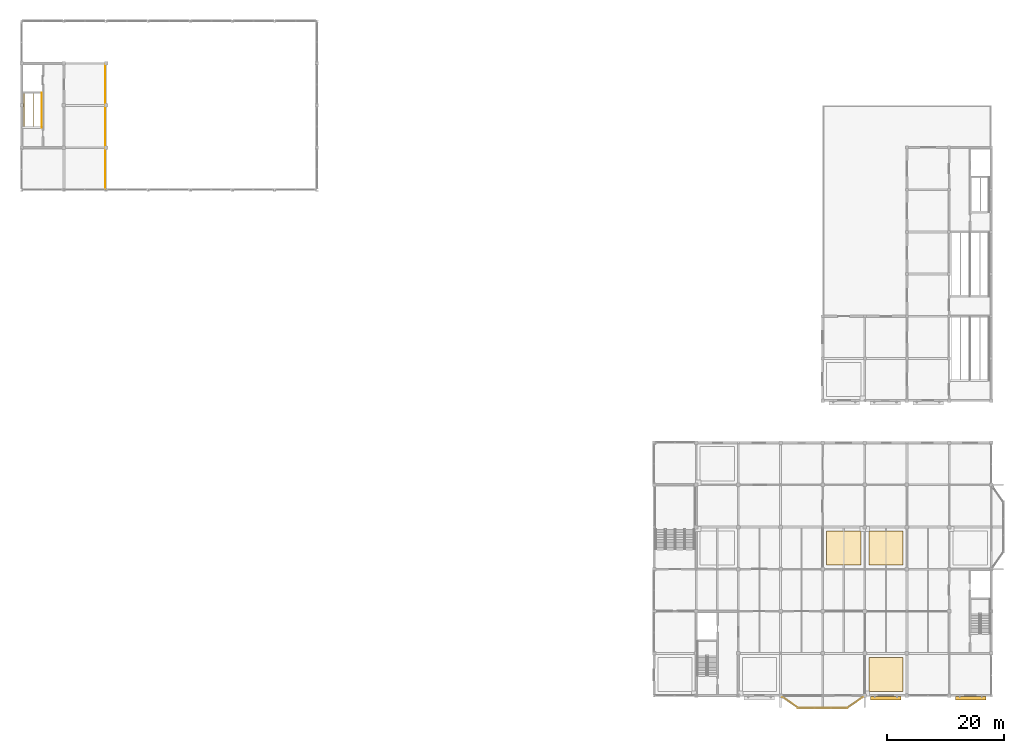
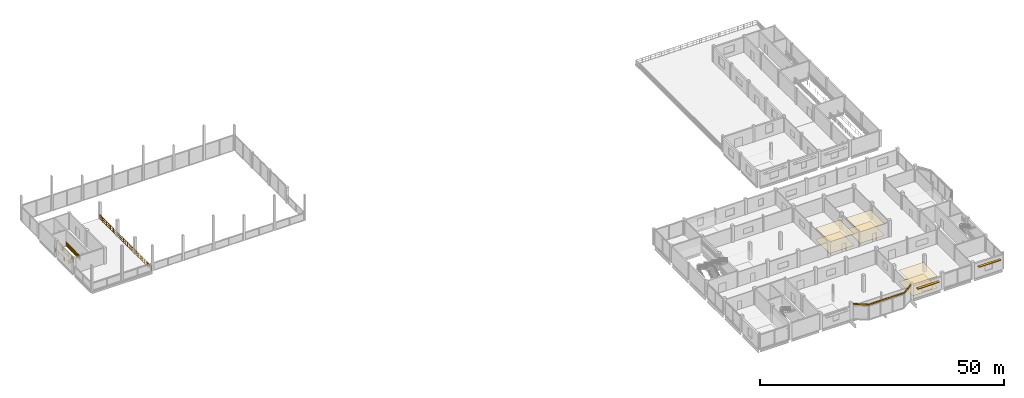
# One storey, part 44 of 51: 9 coverings, 3 railings, 2 shading devices.
"""IFC4 building model written with IfcOpenShell, lengths in metres."""

from ifc_helpers import new_model, si_unit, direction, frame, frame_2d, origin, origin_2d, place, context, subcontext, project, spatial, polyline, rectangle, circle, outline, extrude, material, layer, layer_set, type_object, element, save


model = new_model("IFC4")

# Units and contexts
model_context = context("Model", 3, precision=1e-05, world=origin(), true_north=direction((0.0, 1.0)))
body_context = subcontext(model_context, "Body", "Model", "MODEL_VIEW")
ifc_project = project(units=[si_unit("LENGTHUNIT", "METRE"), si_unit("AREAUNIT", "SQUARE_METRE"), si_unit("VOLUMEUNIT", "CUBIC_METRE"), si_unit("PLANEANGLEUNIT", "RADIAN"), si_unit("MASSUNIT", "GRAM", prefix="KILO")], contexts=[model_context])

# Site, building, storey
site_placement = place(None, origin())
site = spatial("IfcSite", under=ifc_project, at=site_placement, CompositionType="ELEMENT")
building_placement = place(site_placement, origin())
building = spatial("IfcBuilding", under=site, at=building_placement, Name="Vesperath Aquatics Centre", CompositionType="ELEMENT")
storey_placement = place(building_placement, frame((0.0, 0.0, 15.0)))
storey = spatial("IfcBuildingStorey", under=building, at=storey_placement, Name="L03", CompositionType="ELEMENT", Elevation=15.0)

# Coverings
ifc_material_1 = material(Name="Teal and ochre glazed ceramic majolica frieze", Category="ceramic")
ifc_layer_1 = layer(ifc_material_1, 0.0400390625)
ifc_layer_set_1 = layer_set([ifc_layer_1], Name="Teal and ochre glazed ceramic majolica frieze")
covering_type_1 = type_object("IfcCoveringType", Name="CV-CLD01", PredefinedType="CLADDING", material=ifc_layer_set_1)
covering_1_placement = place(storey_placement, frame((137.179931640625, -0.26611328125, 3.5400390625), z_axis=(0.0, 0.0, 1.0), x_axis=(0.819246265428, -0.57344185109, 0.0)))
element("IfcCovering", 1, at=covering_1_placement, inside=storey, type_object=covering_type_1, Name="South Bow Oriel Majolica Frieze CLD1 L03-W", PredefinedType="CLADDING", context=body_context, shape_type="SweptSolid", body=[
    extrude(rectangle(XDim=3.1982421875, YDim=0.050048828125, at=frame_2d((1.59912109375, 0.0))), origin(), (0.0, 0.0, 1.0), 0.3798828125),
])
covering_2_placement = place(storey_placement, frame((139.800048828125, -2.10009765625, 3.5400390625), z_axis=(0.0, 0.0, 1.0), x_axis=(1.0, 0.0, 0.0)))
element("IfcCovering", 2, at=covering_2_placement, inside=storey, type_object=covering_type_1, Name="South Bow Oriel Majolica Frieze CLD1 L03-C", PredefinedType="CLADDING", context=body_context, shape_type="SweptSolid", body=[
    extrude(rectangle(XDim=8.39990234375, YDim=0.050048828125, at=frame_2d((4.199951171875, 0.0))), origin(), (0.0, 0.0, 1.0), 0.3798828125),
])
covering_3_placement = place(storey_placement, frame((148.199951171875, -2.10009765625, 3.5400390625), z_axis=(0.0, 0.0, 1.0), x_axis=(0.819246265428, 0.57344185109, 0.0)))
element("IfcCovering", 3, at=covering_3_placement, inside=storey, type_object=covering_type_1, Name="South Bow Oriel Majolica Frieze CLD1 L03-E", PredefinedType="CLADDING", context=body_context, shape_type="SweptSolid", body=[
    extrude(rectangle(XDim=3.1982421875, YDim=0.050048828125, at=frame_2d((1.59912109375, 0.0))), origin(), (0.0, 0.0, 1.0), 0.3798828125),
])
ifc_material_2 = material(Name="Perforated moisture-resistant acoustic mineral-fibre ceiling", Category="gypsum")
ifc_layer_2 = layer(ifc_material_2, 0.044921875)
ifc_layer_set_2 = layer_set([ifc_layer_2], Name="Perforated moisture-resistant acoustic mineral-fibre ceiling")
covering_type_2 = type_object("IfcCoveringType", Name="CV-CLG01", PredefinedType="CEILING", material=ifc_layer_set_2)
covering_4_placement = place(storey_placement, frame((0.0, 0.0, 2.875)))
element("IfcCovering", 4, at=covering_4_placement, inside=storey, type_object=covering_type_2, Name="Acoustic Suspended Ceiling CLG1 L03_VO2_LAB", PredefinedType="CEILING", context=body_context, shape_type="SweptSolid", body=[
    extrude(outline(polyline([(151.8798828125, 0.679931640625), (157.719970703125, 0.679931640625), (157.719970703125, 6.52001953125), (151.8798828125, 6.52001953125), (151.8798828125, 0.679931640625)])), origin(), (0.0, 0.0, 1.0), 0.044921875),
])
covering_5_placement = place(storey_placement, frame((0.0, 0.0, 2.875)))
element("IfcCovering", 5, at=covering_5_placement, inside=storey, type_object=covering_type_2, Name="Acoustic Suspended Ceiling CLG1 L03_MWC", PredefinedType="CEILING", context=body_context, shape_type="SweptSolid", body=[
    extrude(outline(polyline([(144.679931640625, 22.280029296875), (150.52001953125, 22.280029296875), (150.52001953125, 28.1201171875), (144.679931640625, 28.1201171875), (144.679931640625, 22.280029296875)])), origin(), (0.0, 0.0, 1.0), 0.044921875),
])
covering_6_placement = place(storey_placement, frame((0.0, 0.0, 2.875)))
element("IfcCovering", 6, at=covering_6_placement, inside=storey, type_object=covering_type_2, Name="Acoustic Suspended Ceiling CLG1 L03_FWC", PredefinedType="CEILING", context=body_context, shape_type="SweptSolid", body=[
    extrude(outline(polyline([(151.8798828125, 22.280029296875), (157.719970703125, 22.280029296875), (157.719970703125, 28.1201171875), (151.8798828125, 28.1201171875), (151.8798828125, 22.280029296875)])), origin(), (0.0, 0.0, 1.0), 0.044921875),
])
ifc_material_3 = material(Name="Slip-resistant vitrified ceramic and terrazzo flooring", Category="ceramic")
ifc_layer_3 = layer(ifc_material_3, 0.030029296875)
ifc_layer_set_3 = layer_set([ifc_layer_3], Name="Slip-resistant vitrified ceramic and terrazzo flooring")
covering_type_3 = type_object("IfcCoveringType", Name="CV-FLR01", PredefinedType="FLOORING", material=ifc_layer_set_3)
covering_7_placement = place(storey_placement, origin())
element("IfcCovering", 7, at=covering_7_placement, inside=storey, type_object=covering_type_3, Name="Slip-Resistant Floor Finish FLR1 L03_VO2_LAB", PredefinedType="FLOORING", context=body_context, shape_type="SweptSolid", body=[
    extrude(outline(polyline([(151.8798828125, 0.679931640625), (157.719970703125, 0.679931640625), (157.719970703125, 6.52001953125), (151.8798828125, 6.52001953125), (151.8798828125, 0.679931640625)])), origin(), (0.0, 0.0, 1.0), 0.030029296875),
])
covering_8_placement = place(storey_placement, origin())
element("IfcCovering", 8, at=covering_8_placement, inside=storey, type_object=covering_type_3, Name="Slip-Resistant Floor Finish FLR1 L03_MWC", PredefinedType="FLOORING", context=body_context, shape_type="SweptSolid", body=[
    extrude(outline(polyline([(144.679931640625, 22.280029296875), (150.52001953125, 22.280029296875), (150.52001953125, 28.1201171875), (144.679931640625, 28.1201171875), (144.679931640625, 22.280029296875)])), origin(), (0.0, 0.0, 1.0), 0.030029296875),
])
covering_9_placement = place(storey_placement, origin())
element("IfcCovering", 9, at=covering_9_placement, inside=storey, type_object=covering_type_3, Name="Slip-Resistant Floor Finish FLR1 L03_FWC", PredefinedType="FLOORING", context=body_context, shape_type="SweptSolid", body=[
    extrude(outline(polyline([(151.8798828125, 22.280029296875), (157.719970703125, 22.280029296875), (157.719970703125, 28.1201171875), (151.8798828125, 28.1201171875), (151.8798828125, 22.280029296875)])), origin(), (0.0, 0.0, 1.0), 0.030029296875),
])

# Railings
ifc_material_4 = material(Name="Powder-coated galvanized steel safety guard", Category="steel")
railing_type = type_object("IfcRailingType", Name="RL-GRD01", PredefinedType="GUARDRAIL", material=ifc_material_4)
railing_1_placement = place(storey_placement, frame((7.580078125, 102.93994140625, 0.0)))
element("IfcRailing", 10, at=railing_1_placement, inside=storey, type_object=railing_type, Name="Stair ST3 Top Well Guard GR02 L03", PredefinedType="GUARDRAIL", context=body_context, shape_type="SweptSolid", body=[
    extrude(circle(Radius=0.02392578125, at=origin_2d()), frame((0.0, 0.0, 1.0859375), z_axis=(0.0, -1.0, 0.0), x_axis=(1.0, 0.0, 0.0)), (0.0, 0.0, 1.0), 5.9599609375),
    extrude(circle(Radius=0.01611328125, at=origin_2d()), frame((0.0, 0.0, 0.10009765625), z_axis=(0.0, -1.0, 0.0), x_axis=(1.0, 0.0, 0.0)), (0.0, 0.0, 1.0), 5.9599609375),
    extrude(circle(Radius=0.01611328125, at=origin_2d()), frame((0.0, 0.0, 0.610595703125), z_axis=(0.0, -1.0, 0.0), x_axis=(1.0, 0.0, 0.0)), (0.0, 0.0, 1.0), 5.9599609375),
    extrude(circle(Radius=0.009033203125, at=origin_2d()), frame((0.0, -0.1083984375, 0.10009765625)), (0.0, 0.0, 1.0), 0.9619140625),
    extrude(circle(Radius=0.009033203125, at=origin_2d()), frame((0.0, -0.3251953125, 0.10009765625)), (0.0, 0.0, 1.0), 0.9619140625),
    extrude(circle(Radius=0.009033203125, at=origin_2d()), frame((0.0, -0.541748046875, 0.10009765625)), (0.0, 0.0, 1.0), 0.9619140625),
    extrude(circle(Radius=0.009033203125, at=origin_2d()), frame((0.0, -0.758544921875, 0.10009765625)), (0.0, 0.0, 1.0), 0.9619140625),
    extrude(circle(Radius=0.009033203125, at=origin_2d()), frame((0.0, -0.975341796875, 0.10009765625)), (0.0, 0.0, 1.0), 0.9619140625),
    extrude(circle(Radius=0.009033203125, at=origin_2d()), frame((0.0, -1.19189453125, 0.10009765625)), (0.0, 0.0, 1.0), 0.9619140625),
    extrude(circle(Radius=0.009033203125, at=origin_2d()), frame((0.0, -1.40869140625, 0.10009765625)), (0.0, 0.0, 1.0), 0.9619140625),
    extrude(circle(Radius=0.009033203125, at=origin_2d()), frame((0.0, -1.62548828125, 0.10009765625)), (0.0, 0.0, 1.0), 0.9619140625),
    extrude(circle(Radius=0.009033203125, at=origin_2d()), frame((0.0, -1.84228515625, 0.10009765625)), (0.0, 0.0, 1.0), 0.9619140625),
    extrude(circle(Radius=0.009033203125, at=origin_2d()), frame((0.0, -2.058837890625, 0.10009765625)), (0.0, 0.0, 1.0), 0.9619140625),
    extrude(circle(Radius=0.009033203125, at=origin_2d()), frame((0.0, -2.275634765625, 0.10009765625)), (0.0, 0.0, 1.0), 0.9619140625),
    extrude(circle(Radius=0.009033203125, at=origin_2d()), frame((0.0, -2.492431640625, 0.10009765625)), (0.0, 0.0, 1.0), 0.9619140625),
    extrude(circle(Radius=0.009033203125, at=origin_2d()), frame((0.0, -2.708984375, 0.10009765625)), (0.0, 0.0, 1.0), 0.9619140625),
    extrude(circle(Radius=0.009033203125, at=origin_2d()), frame((0.0, -2.92578125, 0.10009765625)), (0.0, 0.0, 1.0), 0.9619140625),
    extrude(circle(Radius=0.009033203125, at=origin_2d()), frame((0.0, -3.142578125, 0.10009765625)), (0.0, 0.0, 1.0), 0.9619140625),
    extrude(circle(Radius=0.009033203125, at=origin_2d()), frame((0.0, -3.359130859375, 0.10009765625)), (0.0, 0.0, 1.0), 0.9619140625),
    extrude(circle(Radius=0.009033203125, at=origin_2d()), frame((0.0, -3.575927734375, 0.10009765625)), (0.0, 0.0, 1.0), 0.9619140625),
    extrude(circle(Radius=0.009033203125, at=origin_2d()), frame((0.0, -3.792724609375, 0.10009765625)), (0.0, 0.0, 1.0), 0.9619140625),
    extrude(circle(Radius=0.009033203125, at=origin_2d()), frame((0.0, -4.009521484375, 0.10009765625)), (0.0, 0.0, 1.0), 0.9619140625),
    extrude(circle(Radius=0.009033203125, at=origin_2d()), frame((0.0, -4.22607421875, 0.10009765625)), (0.0, 0.0, 1.0), 0.9619140625),
    extrude(circle(Radius=0.009033203125, at=origin_2d()), frame((0.0, -4.44287109375, 0.10009765625)), (0.0, 0.0, 1.0), 0.9619140625),
    extrude(circle(Radius=0.009033203125, at=origin_2d()), frame((0.0, -4.65966796875, 0.10009765625)), (0.0, 0.0, 1.0), 0.9619140625),
    extrude(circle(Radius=0.009033203125, at=origin_2d()), frame((0.0, -4.876220703125, 0.10009765625)), (0.0, 0.0, 1.0), 0.9619140625),
    extrude(circle(Radius=0.009033203125, at=origin_2d()), frame((0.0, -5.093017578125, 0.10009765625)), (0.0, 0.0, 1.0), 0.9619140625),
    extrude(circle(Radius=0.009033203125, at=origin_2d()), frame((0.0, -5.309814453125, 0.10009765625)), (0.0, 0.0, 1.0), 0.9619140625),
    extrude(circle(Radius=0.009033203125, at=origin_2d()), frame((0.0, -5.526611328125, 0.10009765625)), (0.0, 0.0, 1.0), 0.9619140625),
    extrude(circle(Radius=0.009033203125, at=origin_2d()), frame((0.0, -5.7431640625, 0.10009765625)), (0.0, 0.0, 1.0), 0.9619140625),
    extrude(circle(Radius=0.02392578125, at=origin_2d()), frame((0.0, -5.9599609375, 1.0859375), z_axis=(1.0, 0.0, 0.0), x_axis=(0.0, 1.0, 0.0)), (0.0, 0.0, 1.0), 1.579833984375),
    extrude(circle(Radius=0.01611328125, at=origin_2d()), frame((0.0, -5.9599609375, 0.10009765625), z_axis=(1.0, 0.0, 0.0), x_axis=(0.0, 1.0, 0.0)), (0.0, 0.0, 1.0), 1.579833984375),
    extrude(circle(Radius=0.01611328125, at=origin_2d()), frame((0.0, -5.9599609375, 0.610595703125), z_axis=(1.0, 0.0, 0.0), x_axis=(0.0, 1.0, 0.0)), (0.0, 0.0, 1.0), 1.579833984375),
    extrude(circle(Radius=0.009033203125, at=origin_2d()), frame((0.105224609375, -5.9599609375, 0.10009765625)), (0.0, 0.0, 1.0), 0.9619140625),
    extrude(circle(Radius=0.009033203125, at=origin_2d()), frame((0.210693359375, -5.9599609375, 0.10009765625)), (0.0, 0.0, 1.0), 0.9619140625),
    extrude(circle(Radius=0.009033203125, at=origin_2d()), frame((0.31591796875, -5.9599609375, 0.10009765625)), (0.0, 0.0, 1.0), 0.9619140625),
    extrude(circle(Radius=0.009033203125, at=origin_2d()), frame((0.42138671875, -5.9599609375, 0.10009765625)), (0.0, 0.0, 1.0), 0.9619140625),
    extrude(circle(Radius=0.009033203125, at=origin_2d()), frame((0.526611328125, -5.9599609375, 0.10009765625)), (0.0, 0.0, 1.0), 0.9619140625),
    extrude(circle(Radius=0.009033203125, at=origin_2d()), frame((0.6318359375, -5.9599609375, 0.10009765625)), (0.0, 0.0, 1.0), 0.9619140625),
    extrude(circle(Radius=0.009033203125, at=origin_2d()), frame((0.7373046875, -5.9599609375, 0.10009765625)), (0.0, 0.0, 1.0), 0.9619140625),
    extrude(circle(Radius=0.009033203125, at=origin_2d()), frame((0.842529296875, -5.9599609375, 0.10009765625)), (0.0, 0.0, 1.0), 0.9619140625),
    extrude(circle(Radius=0.009033203125, at=origin_2d()), frame((0.947998046875, -5.9599609375, 0.10009765625)), (0.0, 0.0, 1.0), 0.9619140625),
    extrude(circle(Radius=0.009033203125, at=origin_2d()), frame((1.05322265625, -5.9599609375, 0.10009765625)), (0.0, 0.0, 1.0), 0.9619140625),
    extrude(circle(Radius=0.009033203125, at=origin_2d()), frame((1.158447265625, -5.9599609375, 0.10009765625)), (0.0, 0.0, 1.0), 0.9619140625),
    extrude(circle(Radius=0.009033203125, at=origin_2d()), frame((1.263916015625, -5.9599609375, 0.10009765625)), (0.0, 0.0, 1.0), 0.9619140625),
    extrude(circle(Radius=0.009033203125, at=origin_2d()), frame((1.369140625, -5.9599609375, 0.10009765625)), (0.0, 0.0, 1.0), 0.9619140625),
    extrude(circle(Radius=0.009033203125, at=origin_2d()), frame((1.474609375, -5.9599609375, 0.10009765625)), (0.0, 0.0, 1.0), 0.9619140625),
    extrude(circle(Radius=0.02392578125, at=origin_2d()), frame((1.579833984375, -5.9599609375, 1.0859375), z_axis=(0.0, 1.0, 0.0), x_axis=(-1.0, 0.0, 0.0)), (0.0, 0.0, 1.0), 5.9599609375),
    extrude(circle(Radius=0.01611328125, at=origin_2d()), frame((1.579833984375, -5.9599609375, 0.10009765625), z_axis=(0.0, 1.0, 0.0), x_axis=(-1.0, 0.0, 0.0)), (0.0, 0.0, 1.0), 5.9599609375),
    extrude(circle(Radius=0.01611328125, at=origin_2d()), frame((1.579833984375, -5.9599609375, 0.610595703125), z_axis=(0.0, 1.0, 0.0), x_axis=(-1.0, 0.0, 0.0)), (0.0, 0.0, 1.0), 5.9599609375),
    extrude(circle(Radius=0.009033203125, at=origin_2d()), frame((1.579833984375, -5.8515625, 0.10009765625)), (0.0, 0.0, 1.0), 0.9619140625),
    extrude(circle(Radius=0.009033203125, at=origin_2d()), frame((1.579833984375, -5.634765625, 0.10009765625)), (0.0, 0.0, 1.0), 0.9619140625),
    extrude(circle(Radius=0.009033203125, at=origin_2d()), frame((1.579833984375, -5.418212890625, 0.10009765625)), (0.0, 0.0, 1.0), 0.9619140625),
    extrude(circle(Radius=0.009033203125, at=origin_2d()), frame((1.579833984375, -5.201416015625, 0.10009765625)), (0.0, 0.0, 1.0), 0.9619140625),
    extrude(circle(Radius=0.009033203125, at=origin_2d()), frame((1.579833984375, -4.984619140625, 0.10009765625)), (0.0, 0.0, 1.0), 0.9619140625),
    extrude(circle(Radius=0.009033203125, at=origin_2d()), frame((1.579833984375, -4.76806640625, 0.10009765625)), (0.0, 0.0, 1.0), 0.9619140625),
    extrude(circle(Radius=0.009033203125, at=origin_2d()), frame((1.579833984375, -4.55126953125, 0.10009765625)), (0.0, 0.0, 1.0), 0.9619140625),
    extrude(circle(Radius=0.009033203125, at=origin_2d()), frame((1.579833984375, -4.33447265625, 0.10009765625)), (0.0, 0.0, 1.0), 0.9619140625),
    extrude(circle(Radius=0.009033203125, at=origin_2d()), frame((1.579833984375, -4.11767578125, 0.10009765625)), (0.0, 0.0, 1.0), 0.9619140625),
    extrude(circle(Radius=0.009033203125, at=origin_2d()), frame((1.579833984375, -3.901123046875, 0.10009765625)), (0.0, 0.0, 1.0), 0.9619140625),
    extrude(circle(Radius=0.009033203125, at=origin_2d()), frame((1.579833984375, -3.684326171875, 0.10009765625)), (0.0, 0.0, 1.0), 0.9619140625),
    extrude(circle(Radius=0.009033203125, at=origin_2d()), frame((1.579833984375, -3.467529296875, 0.10009765625)), (0.0, 0.0, 1.0), 0.9619140625),
    extrude(circle(Radius=0.009033203125, at=origin_2d()), frame((1.579833984375, -3.2509765625, 0.10009765625)), (0.0, 0.0, 1.0), 0.9619140625),
    extrude(circle(Radius=0.009033203125, at=origin_2d()), frame((1.579833984375, -3.0341796875, 0.10009765625)), (0.0, 0.0, 1.0), 0.9619140625),
    extrude(circle(Radius=0.009033203125, at=origin_2d()), frame((1.579833984375, -2.8173828125, 0.10009765625)), (0.0, 0.0, 1.0), 0.9619140625),
    extrude(circle(Radius=0.009033203125, at=origin_2d()), frame((1.579833984375, -2.600830078125, 0.10009765625)), (0.0, 0.0, 1.0), 0.9619140625),
    extrude(circle(Radius=0.009033203125, at=origin_2d()), frame((1.579833984375, -2.384033203125, 0.10009765625)), (0.0, 0.0, 1.0), 0.9619140625),
    extrude(circle(Radius=0.009033203125, at=origin_2d()), frame((1.579833984375, -2.167236328125, 0.10009765625)), (0.0, 0.0, 1.0), 0.9619140625),
    extrude(circle(Radius=0.009033203125, at=origin_2d()), frame((1.579833984375, -1.950439453125, 0.10009765625)), (0.0, 0.0, 1.0), 0.9619140625),
    extrude(circle(Radius=0.009033203125, at=origin_2d()), frame((1.579833984375, -1.73388671875, 0.10009765625)), (0.0, 0.0, 1.0), 0.9619140625),
    extrude(circle(Radius=0.009033203125, at=origin_2d()), frame((1.579833984375, -1.51708984375, 0.10009765625)), (0.0, 0.0, 1.0), 0.9619140625),
    extrude(circle(Radius=0.009033203125, at=origin_2d()), frame((1.579833984375, -1.30029296875, 0.10009765625)), (0.0, 0.0, 1.0), 0.9619140625),
    extrude(circle(Radius=0.009033203125, at=origin_2d()), frame((1.579833984375, -1.083740234375, 0.10009765625)), (0.0, 0.0, 1.0), 0.9619140625),
    extrude(circle(Radius=0.009033203125, at=origin_2d()), frame((1.579833984375, -0.866943359375, 0.10009765625)), (0.0, 0.0, 1.0), 0.9619140625),
    extrude(circle(Radius=0.009033203125, at=origin_2d()), frame((1.579833984375, -0.650146484375, 0.10009765625)), (0.0, 0.0, 1.0), 0.9619140625),
    extrude(circle(Radius=0.009033203125, at=origin_2d()), frame((1.579833984375, -0.433349609375, 0.10009765625)), (0.0, 0.0, 1.0), 0.9619140625),
    extrude(circle(Radius=0.009033203125, at=origin_2d()), frame((1.579833984375, -0.216796875, 0.10009765625)), (0.0, 0.0, 1.0), 0.9619140625),
    extrude(circle(Radius=0.02197265625, at=origin_2d()), origin(), (0.0, 0.0, 1.0), 1.0859375),
    extrude(circle(Radius=0.02197265625, at=origin_2d()), frame((0.0, -1.19189453125, 0.0)), (0.0, 0.0, 1.0), 1.0859375),
    extrude(circle(Radius=0.02197265625, at=origin_2d()), frame((0.0, -2.384033203125, 0.0)), (0.0, 0.0, 1.0), 1.0859375),
    extrude(circle(Radius=0.02197265625, at=origin_2d()), frame((0.0, -3.575927734375, 0.0)), (0.0, 0.0, 1.0), 1.0859375),
    extrude(circle(Radius=0.02197265625, at=origin_2d()), frame((0.0, -4.76806640625, 0.0)), (0.0, 0.0, 1.0), 1.0859375),
    extrude(circle(Radius=0.02197265625, at=origin_2d()), frame((0.0, -5.9599609375, 0.0)), (0.0, 0.0, 1.0), 1.0859375),
    extrude(circle(Radius=0.02197265625, at=origin_2d()), frame((0.7900390625, -5.9599609375, 0.0)), (0.0, 0.0, 1.0), 1.0859375),
    extrude(circle(Radius=0.02197265625, at=origin_2d()), frame((1.579833984375, -5.9599609375, 0.0)), (0.0, 0.0, 1.0), 1.0859375),
    extrude(circle(Radius=0.02197265625, at=origin_2d()), frame((1.579833984375, -4.76806640625, 0.0)), (0.0, 0.0, 1.0), 1.0859375),
    extrude(circle(Radius=0.02197265625, at=origin_2d()), frame((1.579833984375, -3.575927734375, 0.0)), (0.0, 0.0, 1.0), 1.0859375),
    extrude(circle(Radius=0.02197265625, at=origin_2d()), frame((1.579833984375, -2.384033203125, 0.0)), (0.0, 0.0, 1.0), 1.0859375),
    extrude(circle(Radius=0.02197265625, at=origin_2d()), frame((1.579833984375, -1.19189453125, 0.0)), (0.0, 0.0, 1.0), 1.0859375),
    extrude(circle(Radius=0.02197265625, at=origin_2d()), frame((1.579833984375, 0.0, 0.0)), (0.0, 0.0, 1.0), 1.0859375),
])
railing_2_placement = place(storey_placement, frame((10.6201171875, 96.97998046875, 0.0)))
element("IfcRailing", 11, at=railing_2_placement, inside=storey, type_object=railing_type, Name="Stair ST3 Top Side Guard GR02 L03", PredefinedType="GUARDRAIL", context=body_context, shape_type="SweptSolid", body=[
    extrude(circle(Radius=0.02392578125, at=origin_2d()), frame((0.0, 0.0, 1.0859375), z_axis=(0.0, 1.0, 0.0), x_axis=(-1.0, 0.0, 0.0)), (0.0, 0.0, 1.0), 5.9599609375),
    extrude(circle(Radius=0.01611328125, at=origin_2d()), frame((0.0, 0.0, 0.10009765625), z_axis=(0.0, 1.0, 0.0), x_axis=(-1.0, 0.0, 0.0)), (0.0, 0.0, 1.0), 5.9599609375),
    extrude(circle(Radius=0.01611328125, at=origin_2d()), frame((0.0, 0.0, 0.610595703125), z_axis=(0.0, 1.0, 0.0), x_axis=(-1.0, 0.0, 0.0)), (0.0, 0.0, 1.0), 5.9599609375),
    extrude(circle(Radius=0.009033203125, at=origin_2d()), frame((0.0, 0.1083984375, 0.10009765625)), (0.0, 0.0, 1.0), 0.9619140625),
    extrude(circle(Radius=0.009033203125, at=origin_2d()), frame((0.0, 0.3251953125, 0.10009765625)), (0.0, 0.0, 1.0), 0.9619140625),
    extrude(circle(Radius=0.009033203125, at=origin_2d()), frame((0.0, 0.541748046875, 0.10009765625)), (0.0, 0.0, 1.0), 0.9619140625),
    extrude(circle(Radius=0.009033203125, at=origin_2d()), frame((0.0, 0.758544921875, 0.10009765625)), (0.0, 0.0, 1.0), 0.9619140625),
    extrude(circle(Radius=0.009033203125, at=origin_2d()), frame((0.0, 0.975341796875, 0.10009765625)), (0.0, 0.0, 1.0), 0.9619140625),
    extrude(circle(Radius=0.009033203125, at=origin_2d()), frame((0.0, 1.19189453125, 0.10009765625)), (0.0, 0.0, 1.0), 0.9619140625),
    extrude(circle(Radius=0.009033203125, at=origin_2d()), frame((0.0, 1.40869140625, 0.10009765625)), (0.0, 0.0, 1.0), 0.9619140625),
    extrude(circle(Radius=0.009033203125, at=origin_2d()), frame((0.0, 1.62548828125, 0.10009765625)), (0.0, 0.0, 1.0), 0.9619140625),
    extrude(circle(Radius=0.009033203125, at=origin_2d()), frame((0.0, 1.84228515625, 0.10009765625)), (0.0, 0.0, 1.0), 0.9619140625),
    extrude(circle(Radius=0.009033203125, at=origin_2d()), frame((0.0, 2.058837890625, 0.10009765625)), (0.0, 0.0, 1.0), 0.9619140625),
    extrude(circle(Radius=0.009033203125, at=origin_2d()), frame((0.0, 2.275634765625, 0.10009765625)), (0.0, 0.0, 1.0), 0.9619140625),
    extrude(circle(Radius=0.009033203125, at=origin_2d()), frame((0.0, 2.492431640625, 0.10009765625)), (0.0, 0.0, 1.0), 0.9619140625),
    extrude(circle(Radius=0.009033203125, at=origin_2d()), frame((0.0, 2.708984375, 0.10009765625)), (0.0, 0.0, 1.0), 0.9619140625),
    extrude(circle(Radius=0.009033203125, at=origin_2d()), frame((0.0, 2.92578125, 0.10009765625)), (0.0, 0.0, 1.0), 0.9619140625),
    extrude(circle(Radius=0.009033203125, at=origin_2d()), frame((0.0, 3.142578125, 0.10009765625)), (0.0, 0.0, 1.0), 0.9619140625),
    extrude(circle(Radius=0.009033203125, at=origin_2d()), frame((0.0, 3.359130859375, 0.10009765625)), (0.0, 0.0, 1.0), 0.9619140625),
    extrude(circle(Radius=0.009033203125, at=origin_2d()), frame((0.0, 3.575927734375, 0.10009765625)), (0.0, 0.0, 1.0), 0.9619140625),
    extrude(circle(Radius=0.009033203125, at=origin_2d()), frame((0.0, 3.792724609375, 0.10009765625)), (0.0, 0.0, 1.0), 0.9619140625),
    extrude(circle(Radius=0.009033203125, at=origin_2d()), frame((0.0, 4.009521484375, 0.10009765625)), (0.0, 0.0, 1.0), 0.9619140625),
    extrude(circle(Radius=0.009033203125, at=origin_2d()), frame((0.0, 4.22607421875, 0.10009765625)), (0.0, 0.0, 1.0), 0.9619140625),
    extrude(circle(Radius=0.009033203125, at=origin_2d()), frame((0.0, 4.44287109375, 0.10009765625)), (0.0, 0.0, 1.0), 0.9619140625),
    extrude(circle(Radius=0.009033203125, at=origin_2d()), frame((0.0, 4.65966796875, 0.10009765625)), (0.0, 0.0, 1.0), 0.9619140625),
    extrude(circle(Radius=0.009033203125, at=origin_2d()), frame((0.0, 4.876220703125, 0.10009765625)), (0.0, 0.0, 1.0), 0.9619140625),
    extrude(circle(Radius=0.009033203125, at=origin_2d()), frame((0.0, 5.093017578125, 0.10009765625)), (0.0, 0.0, 1.0), 0.9619140625),
    extrude(circle(Radius=0.009033203125, at=origin_2d()), frame((0.0, 5.309814453125, 0.10009765625)), (0.0, 0.0, 1.0), 0.9619140625),
    extrude(circle(Radius=0.009033203125, at=origin_2d()), frame((0.0, 5.526611328125, 0.10009765625)), (0.0, 0.0, 1.0), 0.9619140625),
    extrude(circle(Radius=0.009033203125, at=origin_2d()), frame((0.0, 5.7431640625, 0.10009765625)), (0.0, 0.0, 1.0), 0.9619140625),
    extrude(circle(Radius=0.02197265625, at=origin_2d()), origin(), (0.0, 0.0, 1.0), 1.0859375),
    extrude(circle(Radius=0.02197265625, at=origin_2d()), frame((0.0, 1.19189453125, 0.0)), (0.0, 0.0, 1.0), 1.0859375),
    extrude(circle(Radius=0.02197265625, at=origin_2d()), frame((0.0, 2.384033203125, 0.0)), (0.0, 0.0, 1.0), 1.0859375),
    extrude(circle(Radius=0.02197265625, at=origin_2d()), frame((0.0, 3.575927734375, 0.0)), (0.0, 0.0, 1.0), 1.0859375),
    extrude(circle(Radius=0.02197265625, at=origin_2d()), frame((0.0, 4.76806640625, 0.0)), (0.0, 0.0, 1.0), 1.0859375),
    extrude(circle(Radius=0.02197265625, at=origin_2d()), frame((0.0, 5.9599609375, 0.0)), (0.0, 0.0, 1.0), 1.0859375),
])
railing_3_placement = place(storey_placement, frame((21.449951171875, 86.550048828125, 0.0)))
element("IfcRailing", 12, at=railing_3_placement, inside=storey, type_object=railing_type, Name="Safety Guardrail GR02 GRD_L03_DIVE_G", PredefinedType="GUARDRAIL", context=body_context, shape_type="SweptSolid", body=[
    extrude(circle(Radius=0.02392578125, at=origin_2d()), frame((0.0, 0.0, 1.0859375), z_axis=(0.0, 1.0, 0.0), x_axis=(-1.0, 0.0, 0.0)), (0.0, 0.0, 1.0), 21.300048828125),
    extrude(circle(Radius=0.01611328125, at=origin_2d()), frame((0.0, 0.0, 0.10009765625), z_axis=(0.0, 1.0, 0.0), x_axis=(-1.0, 0.0, 0.0)), (0.0, 0.0, 1.0), 21.300048828125),
    extrude(circle(Radius=0.01611328125, at=origin_2d()), frame((0.0, 0.0, 0.610595703125), z_axis=(0.0, 1.0, 0.0), x_axis=(-1.0, 0.0, 0.0)), (0.0, 0.0, 1.0), 21.300048828125),
    extrude(circle(Radius=0.009033203125, at=origin_2d()), frame((0.0, 0.10986328125, 0.10009765625)), (0.0, 0.0, 1.0), 0.9619140625),
    extrude(circle(Radius=0.009033203125, at=origin_2d()), frame((0.0, 0.988037109375, 0.10009765625)), (0.0, 0.0, 1.0), 0.9619140625),
    extrude(circle(Radius=0.009033203125, at=origin_2d()), frame((0.0, 1.866455078125, 0.10009765625)), (0.0, 0.0, 1.0), 0.9619140625),
    extrude(circle(Radius=0.009033203125, at=origin_2d()), frame((0.0, 2.744873046875, 0.10009765625)), (0.0, 0.0, 1.0), 0.9619140625),
    extrude(circle(Radius=0.009033203125, at=origin_2d()), frame((0.0, 3.623291015625, 0.10009765625)), (0.0, 0.0, 1.0), 0.9619140625),
    extrude(circle(Radius=0.009033203125, at=origin_2d()), frame((0.0, 4.50146484375, 0.10009765625)), (0.0, 0.0, 1.0), 0.9619140625),
    extrude(circle(Radius=0.009033203125, at=origin_2d()), frame((0.0, 5.3798828125, 0.10009765625)), (0.0, 0.0, 1.0), 0.9619140625),
    extrude(circle(Radius=0.009033203125, at=origin_2d()), frame((0.0, 6.25830078125, 0.10009765625)), (0.0, 0.0, 1.0), 0.9619140625),
    extrude(circle(Radius=0.009033203125, at=origin_2d()), frame((0.0, 7.13671875, 0.10009765625)), (0.0, 0.0, 1.0), 0.9619140625),
    extrude(circle(Radius=0.009033203125, at=origin_2d()), frame((0.0, 8.014892578125, 0.10009765625)), (0.0, 0.0, 1.0), 0.9619140625),
    extrude(circle(Radius=0.009033203125, at=origin_2d()), frame((0.0, 8.893310546875, 0.10009765625)), (0.0, 0.0, 1.0), 0.9619140625),
    extrude(circle(Radius=0.009033203125, at=origin_2d()), frame((0.0, 9.771728515625, 0.10009765625)), (0.0, 0.0, 1.0), 0.9619140625),
    extrude(circle(Radius=0.009033203125, at=origin_2d()), frame((0.0, 10.64990234375, 0.10009765625)), (0.0, 0.0, 1.0), 0.9619140625),
    extrude(circle(Radius=0.009033203125, at=origin_2d()), frame((0.0, 11.5283203125, 0.10009765625)), (0.0, 0.0, 1.0), 0.9619140625),
    extrude(circle(Radius=0.009033203125, at=origin_2d()), frame((0.0, 12.40673828125, 0.10009765625)), (0.0, 0.0, 1.0), 0.9619140625),
    extrude(circle(Radius=0.009033203125, at=origin_2d()), frame((0.0, 13.28515625, 0.10009765625)), (0.0, 0.0, 1.0), 0.9619140625),
    extrude(circle(Radius=0.009033203125, at=origin_2d()), frame((0.0, 14.163330078125, 0.10009765625)), (0.0, 0.0, 1.0), 0.9619140625),
    extrude(circle(Radius=0.009033203125, at=origin_2d()), frame((0.0, 15.041748046875, 0.10009765625)), (0.0, 0.0, 1.0), 0.9619140625),
    extrude(circle(Radius=0.009033203125, at=origin_2d()), frame((0.0, 15.920166015625, 0.10009765625)), (0.0, 0.0, 1.0), 0.9619140625),
    extrude(circle(Radius=0.009033203125, at=origin_2d()), frame((0.0, 16.798583984375, 0.10009765625)), (0.0, 0.0, 1.0), 0.9619140625),
    extrude(circle(Radius=0.009033203125, at=origin_2d()), frame((0.0, 17.6767578125, 0.10009765625)), (0.0, 0.0, 1.0), 0.9619140625),
    extrude(circle(Radius=0.009033203125, at=origin_2d()), frame((0.0, 18.55517578125, 0.10009765625)), (0.0, 0.0, 1.0), 0.9619140625),
    extrude(circle(Radius=0.009033203125, at=origin_2d()), frame((0.0, 19.43359375, 0.10009765625)), (0.0, 0.0, 1.0), 0.9619140625),
    extrude(circle(Radius=0.009033203125, at=origin_2d()), frame((0.0, 20.31201171875, 0.10009765625)), (0.0, 0.0, 1.0), 0.9619140625),
    extrude(circle(Radius=0.009033203125, at=origin_2d()), frame((0.0, 21.190185546875, 0.10009765625)), (0.0, 0.0, 1.0), 0.9619140625),
    extrude(circle(Radius=0.02197265625, at=origin_2d()), origin(), (0.0, 0.0, 1.0), 1.0859375),
    extrude(circle(Radius=0.02197265625, at=origin_2d()), frame((0.0, 1.419921875, 0.0)), (0.0, 0.0, 1.0), 1.0859375),
    extrude(circle(Radius=0.02197265625, at=origin_2d()), frame((0.0, 2.840087890625, 0.0)), (0.0, 0.0, 1.0), 1.0859375),
    extrude(circle(Radius=0.02197265625, at=origin_2d()), frame((0.0, 4.260009765625, 0.0)), (0.0, 0.0, 1.0), 1.0859375),
    extrude(circle(Radius=0.02197265625, at=origin_2d()), frame((0.0, 5.679931640625, 0.0)), (0.0, 0.0, 1.0), 1.0859375),
    extrude(circle(Radius=0.02197265625, at=origin_2d()), frame((0.0, 7.10009765625, 0.0)), (0.0, 0.0, 1.0), 1.0859375),
    extrude(circle(Radius=0.02197265625, at=origin_2d()), frame((0.0, 8.52001953125, 0.0)), (0.0, 0.0, 1.0), 1.0859375),
    extrude(circle(Radius=0.02197265625, at=origin_2d()), frame((0.0, 9.93994140625, 0.0)), (0.0, 0.0, 1.0), 1.0859375),
    extrude(circle(Radius=0.02197265625, at=origin_2d()), frame((0.0, 11.360107421875, 0.0)), (0.0, 0.0, 1.0), 1.0859375),
    extrude(circle(Radius=0.02197265625, at=origin_2d()), frame((0.0, 12.780029296875, 0.0)), (0.0, 0.0, 1.0), 1.0859375),
    extrude(circle(Radius=0.02197265625, at=origin_2d()), frame((0.0, 14.199951171875, 0.0)), (0.0, 0.0, 1.0), 1.0859375),
    extrude(circle(Radius=0.02197265625, at=origin_2d()), frame((0.0, 15.6201171875, 0.0)), (0.0, 0.0, 1.0), 1.0859375),
    extrude(circle(Radius=0.02197265625, at=origin_2d()), frame((0.0, 17.0400390625, 0.0)), (0.0, 0.0, 1.0), 1.0859375),
    extrude(circle(Radius=0.02197265625, at=origin_2d()), frame((0.0, 18.4599609375, 0.0)), (0.0, 0.0, 1.0), 1.0859375),
    extrude(circle(Radius=0.02197265625, at=origin_2d()), frame((0.0, 19.880126953125, 0.0)), (0.0, 0.0, 1.0), 1.0859375),
    extrude(circle(Radius=0.02197265625, at=origin_2d()), frame((0.0, 21.300048828125, 0.0)), (0.0, 0.0, 1.0), 1.0859375),
])

# Shading devices
ifc_material_5 = material(Name="Anodised bronze aluminium solar brise-soleil", Category="aluminium")
shading_device_type = type_object("IfcShadingDeviceType", Name="SH-LVR01", PredefinedType="JALOUSIE", material=ifc_material_5)
for number, where, z_axis, x_axis, name in (
    (13, (154.800048828125, -0.455078125, 2.35009765625), (0.0, 0.0, 1.0), (1.0, 0.0, 0.0), "Bronze Solar Brise-Soleil LV01 L03_S_21_00"),
    (14, (169.28759765625, -0.465087890625, 2.75), (0.0, 0.0, 1.0), (1.0, 0.0, 0.0), "Bronze Solar Brise-Soleil LV01 L03_S_23_00"),
):
    element("IfcShadingDevice", number, at=place(storey_placement, frame(where, z_axis=z_axis, x_axis=x_axis)), inside=storey, type_object=shading_device_type, Name=name, PredefinedType="JALOUSIE", context=body_context, shape_type="SweptSolid", body=[
        extrude(rectangle(XDim=5.199951171875, YDim=0.550048828125, at=origin_2d()), origin(), (0.0, 0.0, 1.0), 0.139892578125),
    ])

save(model, "model.ifc")
